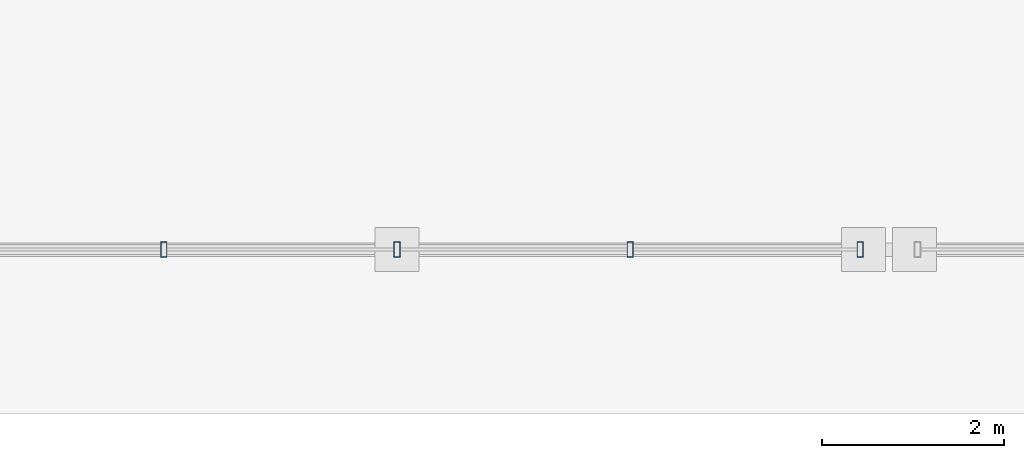
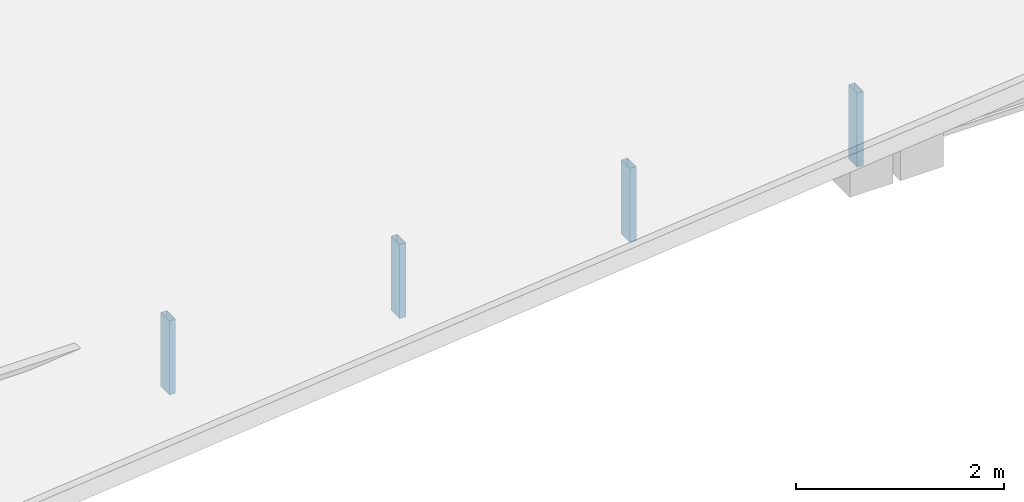
# One storey, part 79 of 117: 4 members, 1 element without a shape of its own.
"""IFC4 building model written with IfcOpenShell, lengths in metres."""

from ifc_helpers import new_model, si_unit, direction, frame, origin, origin_2d, place, context, subcontext, project, spatial, hollow_rectangle, extrude, material, material_profile, profile_set, type_object, element, aggregate, save


model = new_model("IFC4")

# Units and contexts
model_context = context("Model", 3, precision=1e-05, world=origin(), true_north=direction((0.0, 1.0)))
body_context = subcontext(model_context, "Body", "Model", "MODEL_VIEW")
ifc_project = project(units=[si_unit("LENGTHUNIT", "METRE"), si_unit("AREAUNIT", "SQUARE_METRE"), si_unit("VOLUMEUNIT", "CUBIC_METRE"), si_unit("PLANEANGLEUNIT", "RADIAN"), si_unit("MASSUNIT", "GRAM", prefix="KILO")], contexts=[model_context])

# Site, building, storey
site_placement = place(None, origin())
site = spatial("IfcSite", under=ifc_project, at=site_placement, CompositionType="ELEMENT")
building_placement = place(site_placement, origin())
building = spatial("IfcBuilding", under=site, at=building_placement, Name="Merenkruunu Market Hall", CompositionType="ELEMENT")
storey_placement = place(building_placement, frame((0.0, 0.0, 22.800048828125)))
storey = spatial("IfcBuildingStorey", under=building, at=storey_placement, Name="RF", CompositionType="ELEMENT", Elevation=22.800048828125)

# Curtain wall, members
ifc_material = material(Name="Powder-coated aluminium", Category="aluminium")
curtain_wall_type = type_object("IfcCurtainWallType", Name="Clerestory Curtain Band CL03", PredefinedType="USERDEFINED", material=ifc_material)
curtain_wall_placement = place(storey_placement, origin())
curtain_wall = element("IfcCurtainWall", 1, at=curtain_wall_placement, inside=storey, type_object=curtain_wall_type, Name="CW-RF-CWM04-242", ObjectType="CLERESTORY_BAND", PredefinedType="USERDEFINED")
ifc_material_profile = material_profile(ifc_material, hollow_rectangle(XDim=0.070068359375, YDim=0.169921875, WallThickness=0.0048828125, at=origin_2d()), Name="ALU 70x170x5")
ifc_profile_set = profile_set([ifc_material_profile], Name="Powder-coated aluminium")
member_type = type_object("IfcMemberType", Name="Curtain Wall Mullion CWM04", PredefinedType="MULLION", material=ifc_profile_set)
member_1_placement = place(storey_placement, frame((170.0849609375, 0.0, -1.719970703125), z_axis=(0.0, 0.0, 1.0), x_axis=(-1.0, 0.0, 0.0)))
member_1 = element("IfcMember", 2, at=member_1_placement, type_object=member_type, Name="CL03 mullion 1", PredefinedType="MULLION", context=body_context, shape_type="SweptSolid", body=[
    extrude(hollow_rectangle(XDim=0.070068359375, YDim=0.169921875, WallThickness=0.0048828125, at=origin_2d()), origin(), (0.0, 0.0, 1.0), 0.869873046875),
])
member_2_placement = place(storey_placement, frame((167.56005859375, 0.0, -1.719970703125), z_axis=(0.0, 0.0, 1.0), x_axis=(-1.0, 0.0, 0.0)))
member_2 = element("IfcMember", 3, at=member_2_placement, type_object=member_type, Name="CL03 mullion 2", PredefinedType="MULLION", context=body_context, shape_type="SweptSolid", body=[
    extrude(hollow_rectangle(XDim=0.070068359375, YDim=0.169921875, WallThickness=0.0048828125, at=origin_2d()), origin(), (0.0, 0.0, 1.0), 0.869873046875),
])
member_3_placement = place(storey_placement, frame((165.0, 0.0, -1.719970703125), z_axis=(0.0, 0.0, 1.0), x_axis=(-1.0, 0.0, 0.0)))
member_3 = element("IfcMember", 4, at=member_3_placement, type_object=member_type, Name="CL03 mullion 3", PredefinedType="MULLION", context=body_context, shape_type="SweptSolid", body=[
    extrude(hollow_rectangle(XDim=0.070068359375, YDim=0.169921875, WallThickness=0.0048828125, at=origin_2d()), origin(), (0.0, 0.0, 1.0), 0.869873046875),
])
member_4_placement = place(storey_placement, frame((162.43994140625, 0.0, -1.719970703125), z_axis=(0.0, 0.0, 1.0), x_axis=(-1.0, 0.0, 0.0)))
member_4 = element("IfcMember", 5, at=member_4_placement, type_object=member_type, Name="CL03 mullion 4", PredefinedType="MULLION", context=body_context, shape_type="SweptSolid", body=[
    extrude(hollow_rectangle(XDim=0.070068359375, YDim=0.169921875, WallThickness=0.0048828125, at=origin_2d()), origin(), (0.0, 0.0, 1.0), 0.869873046875),
])
aggregate(curtain_wall, [member_1, member_2, member_3, member_4])

save(model, "model.ifc")
